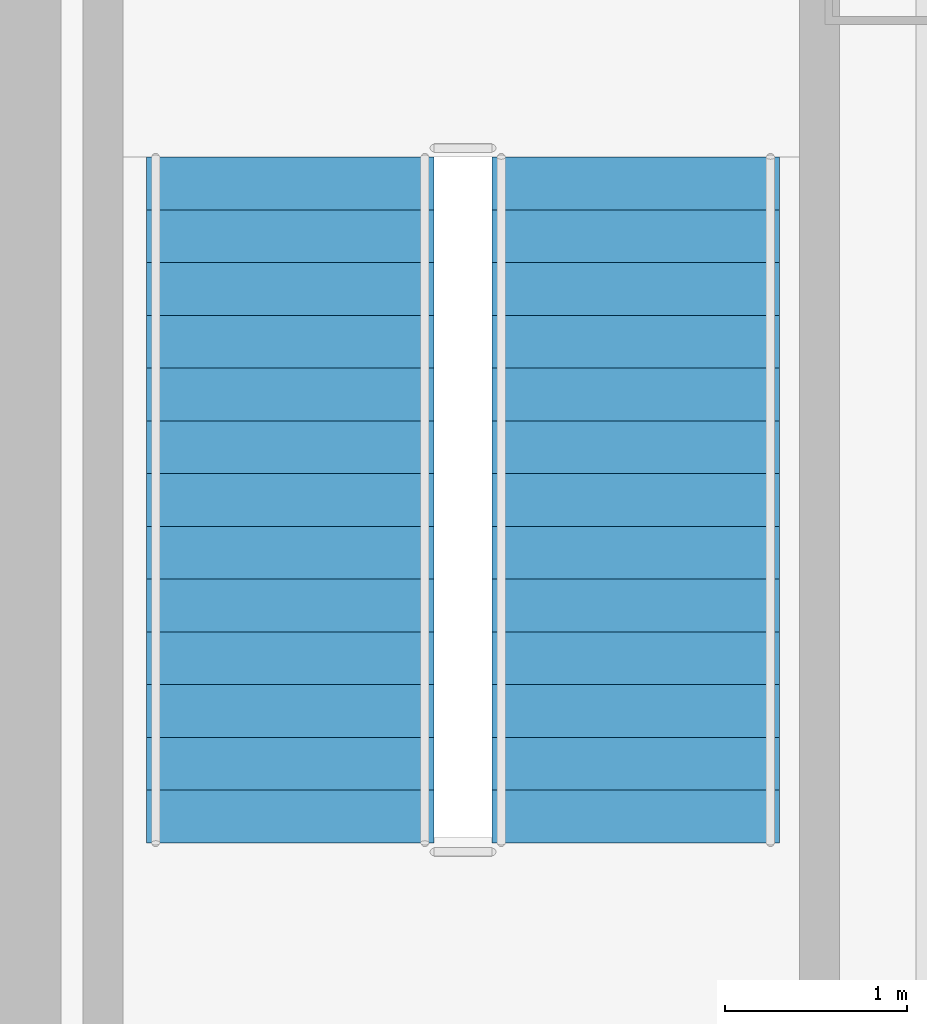
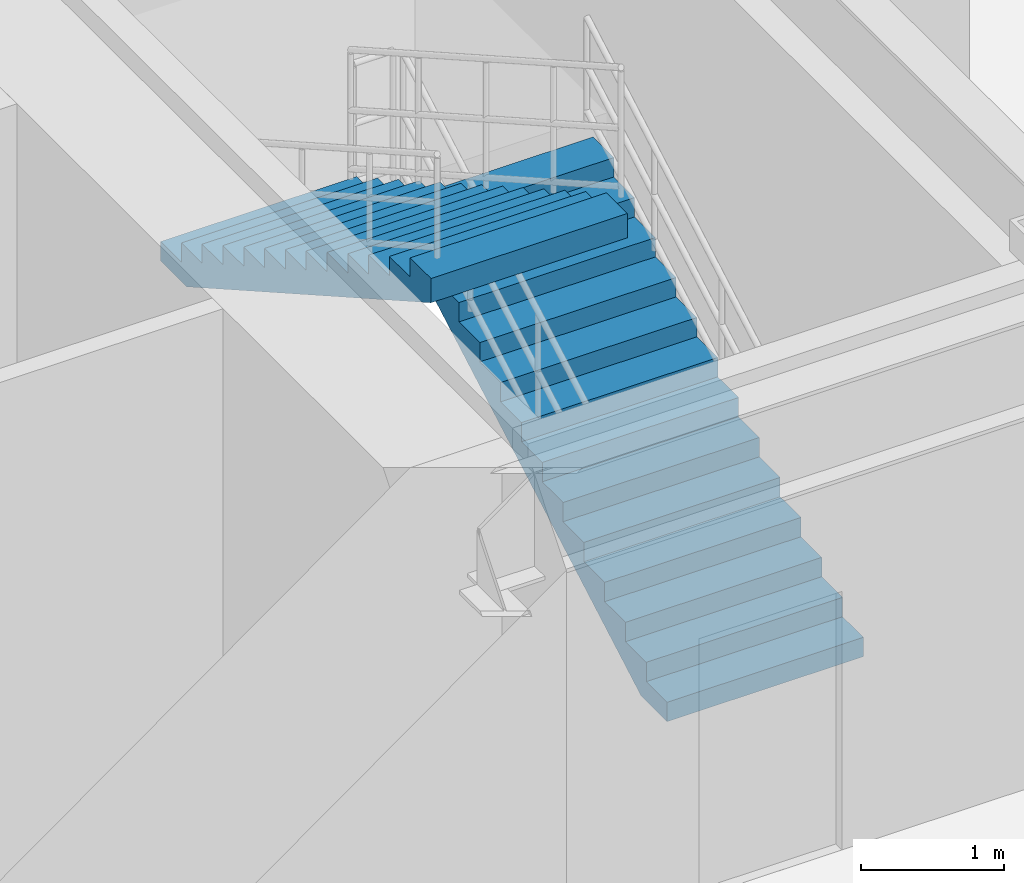
# One storey, part 11 of 13: 2 stair flights, 1 element without a shape of its own.
"""IFC4 building model written with IfcOpenShell, lengths in metres."""

from ifc_helpers import new_model, si_unit, direction, frame, origin, place, context, subcontext, project, spatial, polyline, outline, extrude, material, type_object, element, aggregate, save


model = new_model("IFC4")

# Units and contexts
model_context = context("Model", 3, precision=1e-05, world=origin(), true_north=direction((0.0, 1.0)))
body_context = subcontext(model_context, "Body", "Model", "MODEL_VIEW")
ifc_project = project(units=[si_unit("LENGTHUNIT", "METRE"), si_unit("AREAUNIT", "SQUARE_METRE"), si_unit("VOLUMEUNIT", "CUBIC_METRE"), si_unit("PLANEANGLEUNIT", "RADIAN"), si_unit("MASSUNIT", "GRAM", prefix="KILO")], contexts=[model_context])

# Site, building, storey
site_placement = place(None, origin())
site = spatial("IfcSite", under=ifc_project, at=site_placement, CompositionType="ELEMENT")
building_placement = place(site_placement, origin())
building = spatial("IfcBuilding", under=site, at=building_placement, Name="Qianlan Lanfeng Residences", CompositionType="ELEMENT")
storey_placement = place(building_placement, frame((0.0, 0.0, 14.39990234375)))
storey = spatial("IfcBuildingStorey", under=building, at=storey_placement, Name="L03", CompositionType="ELEMENT", Elevation=14.39990234375)

# Stair, stair flights
ifc_material = material(Name="Concrete C42", Category="concrete")
stair_type = type_object("IfcStairType", Name="STR-POD", PredefinedType="HALF_TURN_STAIR", material=ifc_material)
stair_placement = place(storey_placement, origin())
stair = element("IfcStair", 1, at=stair_placement, inside=storey, type_object=stair_type, Name="L03 Exit Stair ST-P1", PredefinedType="HALF_TURN_STAIR")
stair_flight_type = type_object("IfcStairFlightType", Name="FLT-1650", PredefinedType="STRAIGHT", material=ifc_material)
stair_flight_1_placement = place(storey_placement, frame((46.010009765625, 27.449951171875, 0.0), z_axis=(0.0, 0.0, 1.0), x_axis=(0.0, 1.0, 0.0)))
stair_flight_1 = element("IfcStairFlight", 2, at=stair_flight_1_placement, type_object=stair_flight_type, Name="ST-P1 flight 1", NumberOfRisers=14, NumberOfTreads=13, PredefinedType="STRAIGHT", RiserHeight=0.164285714, TreadLength=0.29, context=body_context, shape_type="SweptSolid", body=[
    extrude(outline(polyline([(0.0, 0.0), (0.0, 0.164306640625), (0.2900390625, 0.164306640625), (0.2900390625, 0.32861328125), (0.580078125, 0.32861328125), (0.580078125, 0.492919921875), (0.8701171875, 0.492919921875), (0.8701171875, 0.6572265625), (1.159912109375, 0.6572265625), (1.159912109375, 0.821533203125), (1.449951171875, 0.821533203125), (1.449951171875, 0.985595703125), (1.739990234375, 0.985595703125), (1.739990234375, 1.14990234375), (2.030029296875, 1.14990234375), (2.030029296875, 1.314208984375), (2.320068359375, 1.314208984375), (2.320068359375, 1.478515625), (2.610107421875, 1.478515625), (2.610107421875, 1.642822265625), (2.89990234375, 1.642822265625), (2.89990234375, 1.80712890625), (3.18994140625, 1.80712890625), (3.18994140625, 1.971435546875), (3.47998046875, 1.971435546875), (3.47998046875, 2.1357421875), (3.77001953125, 2.1357421875), (3.77001953125, 2.300048828125), (3.77001953125, 1.928955078125), (0.364990234375, 0.0), (0.0, 0.0)])), frame((0.0, 0.7900390625, 0.0), z_axis=(0.0, -1.0, 0.0), x_axis=(1.0, 0.0, 0.0)), (0.0, 0.0, 1.0), 1.580078125),
])
stair_flight_2_placement = place(storey_placement, frame((44.110107421875, 31.219970703125, 2.300048828125), z_axis=(0.0, 0.0, 1.0), x_axis=(0.0, -1.0, 0.0)))
stair_flight_2 = element("IfcStairFlight", 3, at=stair_flight_2_placement, type_object=stair_flight_type, Name="ST-P1 flight 2", NumberOfRisers=14, NumberOfTreads=13, PredefinedType="STRAIGHT", RiserHeight=0.164285714, TreadLength=0.29, context=body_context, shape_type="SweptSolid", body=[
    extrude(outline(polyline([(0.0, 0.0), (0.0, 0.164306640625), (0.2900390625, 0.164306640625), (0.2900390625, 0.32861328125), (0.580078125, 0.32861328125), (0.580078125, 0.492919921875), (0.8701171875, 0.492919921875), (0.8701171875, 0.6572265625), (1.159912109375, 0.6572265625), (1.159912109375, 0.821533203125), (1.449951171875, 0.821533203125), (1.449951171875, 0.985595703125), (1.739990234375, 0.985595703125), (1.739990234375, 1.14990234375), (2.030029296875, 1.14990234375), (2.030029296875, 1.314208984375), (2.320068359375, 1.314208984375), (2.320068359375, 1.478515625), (2.610107421875, 1.478515625), (2.610107421875, 1.642822265625), (2.89990234375, 1.642822265625), (2.89990234375, 1.80712890625), (3.18994140625, 1.80712890625), (3.18994140625, 1.971435546875), (3.47998046875, 1.971435546875), (3.47998046875, 2.1357421875), (3.77001953125, 2.1357421875), (3.77001953125, 2.300048828125), (3.77001953125, 1.928955078125), (0.364990234375, 0.0), (0.0, 0.0)])), frame((0.0, 0.7900390625, 0.0), z_axis=(0.0, -1.0, 0.0), x_axis=(1.0, 0.0, 0.0)), (0.0, 0.0, 1.0), 1.580078125),
])
aggregate(stair, [stair_flight_1, stair_flight_2])

save(model, "model.ifc")
